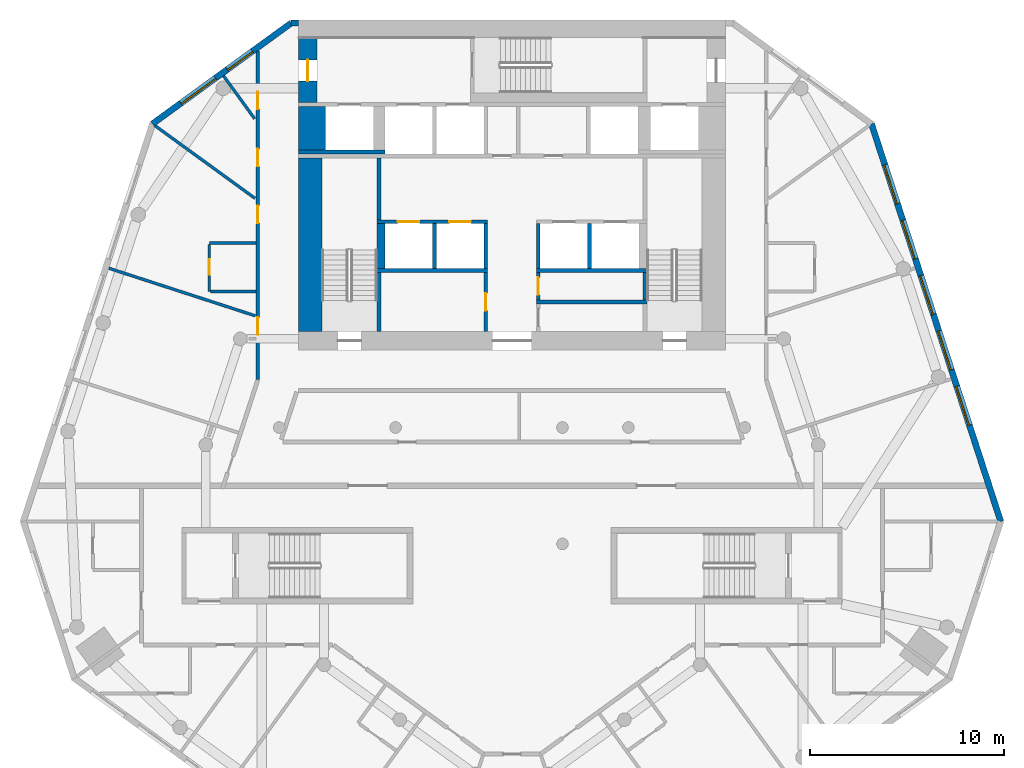
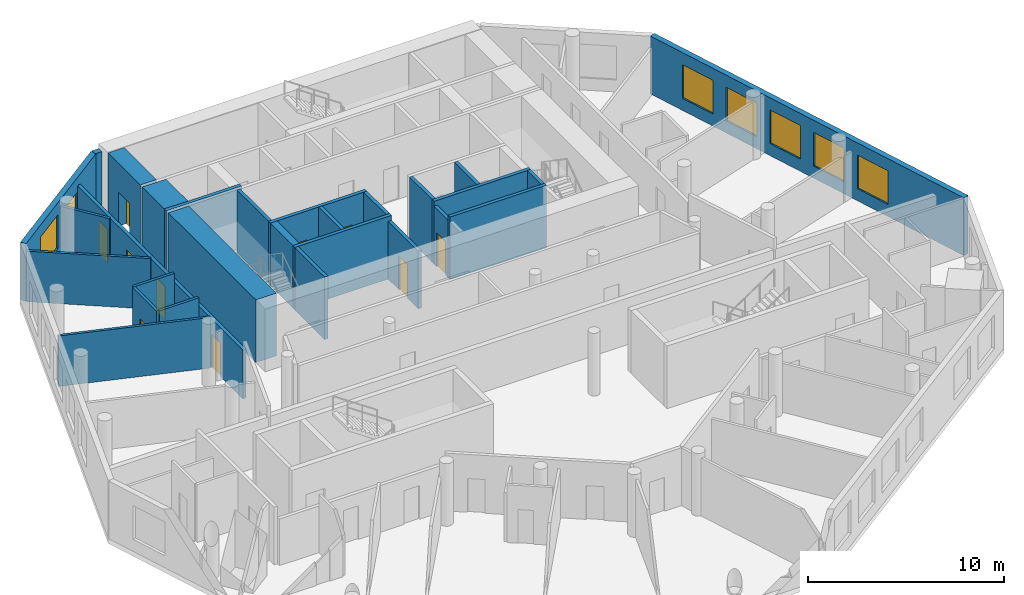
# One storey, part 5 of 9: 28 walls, 10 doors, 7 windows, 17 openings.
"""IFC4 building model written with IfcOpenShell, lengths in metres."""

from ifc_helpers import new_model, si_unit, direction, frame, frame_2d, origin, place, context, subcontext, project, spatial, rectangle, extrude, material, layer, layer_set, type_object, element, fill, save


model = new_model("IFC4")

# Units and contexts
model_context = context("Model", 3, precision=1e-05, world=origin(), true_north=direction((0.0, 1.0)))
body_context = subcontext(model_context, "Body", "Model", "MODEL_VIEW")
ifc_project = project(units=[si_unit("LENGTHUNIT", "METRE"), si_unit("AREAUNIT", "SQUARE_METRE"), si_unit("VOLUMEUNIT", "CUBIC_METRE"), si_unit("PLANEANGLEUNIT", "RADIAN"), si_unit("MASSUNIT", "GRAM", prefix="KILO")], contexts=[model_context])

# Site, building, storey
site_placement = place(None, origin())
site = spatial("IfcSite", under=ifc_project, at=site_placement, CompositionType="ELEMENT")
building_placement = place(site_placement, origin())
building = spatial("IfcBuilding", under=site, at=building_placement, Name="White Candle Pilgrim Tower", CompositionType="ELEMENT")
storey_placement = place(building_placement, frame((0.0, 0.0, 168.10009765625)))
storey = spatial("IfcBuildingStorey", under=building, at=storey_placement, Name="L38", CompositionType="ELEMENT", Elevation=168.10009765625)

# Walls
ifc_material_1 = material(Name="Concrete C60/75", Category="concrete")
ifc_layer_1 = layer(ifc_material_1, 1.39990234375)
ifc_layer_set_1 = layer_set([ifc_layer_1], Name="Core wall 1400 mm Concrete C60/75")
wall_type_1 = type_object("IfcWallType", Name="Core wall 1400 mm Concrete C60/75", PredefinedType="SHEAR", material=ifc_layer_set_1)
wall_1_placement = place(storey_placement, frame((59.699951171875, 81.300048828125, 0.0), z_axis=(0.0, 0.0, 1.0), x_axis=(0.0, 1.0, 0.0)))
element("IfcWall", 1, at=wall_1_placement, inside=storey, type_object=wall_type_1, Name="WL-L38-C40", PredefinedType="SHEAR", context=body_context, shape_type="SweptSolid", body=[
    extrude(rectangle(XDim=2.25, YDim=1.39990234375, at=frame_2d((1.125, 0.0))), origin(), (0.0, 0.0, 1.0), 3.89990234375),
])
ifc_layer_2 = layer(ifc_material_1, 0.199951171875)
ifc_layer_set_2 = layer_set([ifc_layer_2], Name="Core wall 200 mm Concrete C60/75")
wall_type_2 = type_object("IfcWallType", Name="Core wall 200 mm Concrete C60/75", PredefinedType="SHEAR", material=ifc_layer_set_2)
wall_2_placement = place(storey_placement, frame((59.0, 81.199951171875, 0.0), z_axis=(0.0, 0.0, 1.0), x_axis=(1.0, 0.0, 0.0)))
element("IfcWall", 2, at=wall_2_placement, inside=storey, type_object=wall_type_2, Name="WL-L38-C34", PredefinedType="SHEAR", context=body_context, shape_type="SweptSolid", body=[
    extrude(rectangle(XDim=4.449951171875, YDim=0.199951171875, at=frame_2d((2.22509765625, 0.0))), origin(), (0.0, 0.0, 1.0), 3.89990234375),
])

# Wall, opening, door
ifc_layer_3 = layer(ifc_material_1, 0.949951171875)
ifc_layer_set_3 = layer_set([ifc_layer_3], Name="Core wall 950 mm Concrete C60/75")
wall_type_3 = type_object("IfcWallType", Name="Core wall 950 mm Concrete C60/75", PredefinedType="SHEAR", material=ifc_layer_set_3)
wall_3_placement = place(storey_placement, frame((59.47509765625, 83.75, 0.0), z_axis=(0.0, 0.0, 1.0), x_axis=(0.0, 1.0, 0.0)))
wall_3 = element("IfcWall", 3, at=wall_3_placement, inside=storey, type_object=wall_type_3, Name="WL-L38-C45", PredefinedType="SHEAR", context=body_context, shape_type="SweptSolid", body=[
    extrude(rectangle(XDim=3.300048828125, YDim=0.949951171875, at=frame_2d((1.64990234375, 0.0))), origin(), (0.0, 0.0, 1.0), 3.89990234375),
])
opening_1_placement = place(wall_3_placement, frame((1.10009765625, 0.0, 0.0)))
opening_1 = element("IfcOpeningElement", 4, at=opening_1_placement, cuts=wall_3, Name="Opening T11-008", PredefinedType="OPENING", context=body_context, shape_type="SweptSolid", body=[
    extrude(rectangle(XDim=1.10009765625, YDim=2.10009765625, at=frame_2d((0.550048828125, 1.050048828125))), frame((0.0, 0.48486328125, 0.0), z_axis=(0.0, -1.0, 0.0), x_axis=(1.0, 0.0, 0.0)), (0.0, 0.0, 1.0), 0.969970703125),
])
ifc_material_2 = material(Name="Steel door leaf", Category="steel")
door_type_1 = type_object("IfcDoorType", Name="Fire door 1100 x 2100 EI 60", OperationType="NOTDEFINED", PredefinedType="DOOR", material=ifc_material_2)
door_1_placement = place(opening_1_placement, origin())
door_1 = element("IfcDoor", 5, at=door_1_placement, inside=storey, type_object=door_type_1, Name="Door T11-008", OperationType="SINGLE_SWING_RIGHT", OverallHeight=2.10009765625, OverallWidth=1.10009765625, PredefinedType="DOOR", context=body_context, shape_type="SweptSolid", body=[
    extrude(rectangle(XDim=1.10009765625, YDim=2.10009765625, at=frame_2d((0.550048828125, 1.050048828125))), frame((0.0, 0.02490234375, 0.0), z_axis=(0.0, -1.0, 0.0), x_axis=(1.0, 0.0, 0.0)), (0.0, 0.0, 1.0), 0.050048828125),
])
fill(opening_1, door_1)

# Wall, openings, doors
ifc_material_3 = material(Name="Gypsum board on steel studs", Category="steel")
ifc_layer_4 = layer(ifc_material_3, 0.199951171875)
ifc_layer_set_4 = layer_set([ifc_layer_4], Name="Corridor wall 200 mm EI 45")
wall_type_4 = type_object("IfcWallType", Name="Corridor wall 200 mm EI 45", PredefinedType="PARTITIONING", material=ifc_layer_set_4)
wall_4_placement = place(storey_placement, frame((56.89990234375, 69.472900390625, 0.0), z_axis=(0.0, 0.0, 1.0), x_axis=(0.0, 1.0, 0.0)))
wall_4 = element("IfcWall", 6, at=wall_4_placement, inside=storey, type_object=wall_type_4, Name="WL-L38-P003", PredefinedType="PARTITIONING", context=body_context, shape_type="SweptSolid", body=[
    extrude(rectangle(XDim=16.92333984375, YDim=0.199951171875, at=frame_2d((8.461669921875, 0.0))), origin(), (0.0, 0.0, 1.0), 3.0498046875),
])
opening_2_placement = place(wall_4_placement, frame((2.29638671875, 0.0, 0.0)))
opening_2 = element("IfcOpeningElement", 7, at=opening_2_placement, cuts=wall_4, Name="Opening T11-125", PredefinedType="OPENING", context=body_context, shape_type="SweptSolid", body=[
    extrude(rectangle(XDim=0.89990234375, YDim=2.10009765625, at=frame_2d((0.449951171875, 1.050048828125))), frame((0.0, 0.10986328125, 0.0), z_axis=(0.0, -1.0, 0.0), x_axis=(1.0, 0.0, 0.0)), (0.0, 0.0, 1.0), 0.219970703125),
])
opening_3_placement = place(wall_4_placement, frame((8.06298828125, 0.0, 0.0)))
opening_3 = element("IfcOpeningElement", 8, at=opening_3_placement, cuts=wall_4, Name="Opening T11-126", PredefinedType="OPENING", context=body_context, shape_type="SweptSolid", body=[
    extrude(rectangle(XDim=0.89990234375, YDim=2.10009765625, at=frame_2d((0.449951171875, 1.050048828125))), frame((0.0, 0.10986328125, 0.0), z_axis=(0.0, -1.0, 0.0), x_axis=(1.0, 0.0, 0.0)), (0.0, 0.0, 1.0), 0.219970703125),
])
opening_4_placement = place(wall_4_placement, frame((10.989501953125, 0.0, 0.0)))
opening_4 = element("IfcOpeningElement", 9, at=opening_4_placement, cuts=wall_4, Name="Opening T11-127", PredefinedType="OPENING", context=body_context, shape_type="SweptSolid", body=[
    extrude(rectangle(XDim=0.89990234375, YDim=2.10009765625, at=frame_2d((0.449951171875, 1.050048828125))), frame((0.0, 0.10986328125, 0.0), z_axis=(0.0, -1.0, 0.0), x_axis=(1.0, 0.0, 0.0)), (0.0, 0.0, 1.0), 0.219970703125),
])
opening_5_placement = place(wall_4_placement, frame((13.934814453125, 0.0, 0.0)))
opening_5 = element("IfcOpeningElement", 10, at=opening_5_placement, cuts=wall_4, Name="Opening T11-128", PredefinedType="OPENING", context=body_context, shape_type="SweptSolid", body=[
    extrude(rectangle(XDim=0.89990234375, YDim=2.10009765625, at=frame_2d((0.449951171875, 1.050048828125))), frame((0.0, 0.10986328125, 0.0), z_axis=(0.0, -1.0, 0.0), x_axis=(1.0, 0.0, 0.0)), (0.0, 0.0, 1.0), 0.219970703125),
])
door_type_2 = type_object("IfcDoorType", Name="Fire door 900 x 2100 EI 30", OperationType="NOTDEFINED", PredefinedType="DOOR", material=ifc_material_2)
door_2_placement = place(opening_2_placement, origin())
door_2 = element("IfcDoor", 11, at=door_2_placement, inside=storey, type_object=door_type_2, Name="Door T11-125", OperationType="SINGLE_SWING_RIGHT", OverallHeight=2.10009765625, OverallWidth=0.89990234375, PredefinedType="DOOR", context=body_context, shape_type="SweptSolid", body=[
    extrude(rectangle(XDim=0.89990234375, YDim=2.10009765625, at=frame_2d((0.449951171875, 1.050048828125))), frame((0.0, 0.02490234375, 0.0), z_axis=(0.0, -1.0, 0.0), x_axis=(1.0, 0.0, 0.0)), (0.0, 0.0, 1.0), 0.050048828125),
])
fill(opening_2, door_2)
door_3_placement = place(opening_3_placement, origin())
door_3 = element("IfcDoor", 12, at=door_3_placement, inside=storey, type_object=door_type_2, Name="Door T11-126", OperationType="SINGLE_SWING_RIGHT", OverallHeight=2.10009765625, OverallWidth=0.89990234375, PredefinedType="DOOR", context=body_context, shape_type="SweptSolid", body=[
    extrude(rectangle(XDim=0.89990234375, YDim=2.10009765625, at=frame_2d((0.449951171875, 1.050048828125))), frame((0.0, 0.02490234375, 0.0), z_axis=(0.0, -1.0, 0.0), x_axis=(1.0, 0.0, 0.0)), (0.0, 0.0, 1.0), 0.050048828125),
])
fill(opening_3, door_3)
door_4_placement = place(opening_4_placement, origin())
door_4 = element("IfcDoor", 13, at=door_4_placement, inside=storey, type_object=door_type_2, Name="Door T11-127", OperationType="SINGLE_SWING_LEFT", OverallHeight=2.10009765625, OverallWidth=0.89990234375, PredefinedType="DOOR", context=body_context, shape_type="SweptSolid", body=[
    extrude(rectangle(XDim=0.89990234375, YDim=2.10009765625, at=frame_2d((0.449951171875, 1.050048828125))), frame((0.0, 0.02490234375, 0.0), z_axis=(0.0, -1.0, 0.0), x_axis=(1.0, 0.0, 0.0)), (0.0, 0.0, 1.0), 0.050048828125),
])
fill(opening_4, door_4)
door_5_placement = place(opening_5_placement, origin())
door_5 = element("IfcDoor", 14, at=door_5_placement, inside=storey, type_object=door_type_2, Name="Door T11-128", OperationType="SINGLE_SWING_RIGHT", OverallHeight=2.10009765625, OverallWidth=0.89990234375, PredefinedType="DOOR", context=body_context, shape_type="SweptSolid", body=[
    extrude(rectangle(XDim=0.89990234375, YDim=2.10009765625, at=frame_2d((0.449951171875, 1.050048828125))), frame((0.0, 0.02490234375, 0.0), z_axis=(0.0, -1.0, 0.0), x_axis=(1.0, 0.0, 0.0)), (0.0, 0.0, 1.0), 0.050048828125),
])
fill(opening_5, door_5)

# Wall, openings, windows
ifc_material_4 = material(Name="Precast concrete C40/50", Category="concrete")
ifc_layer_5 = layer(ifc_material_4, 0.320068359375)
ifc_layer_set_5 = layer_set([ifc_layer_5], Name="Facade wall EW1 precast concrete C40/50 pier wall with timber-lined reveals")
wall_type_5 = type_object("IfcWallType", Name="Facade wall EW1 precast concrete C40/50 pier wall with timber-lined reveals", PredefinedType="SOLIDWALL", material=ifc_layer_set_5)
wall_5_placement = place(storey_placement, frame((95.18701171875, 62.158447265625, 0.0), z_axis=(0.0, 0.0, 1.0), x_axis=(-0.309015355068, 0.951057048937, 0.0)))
wall_5 = element("IfcWall", 15, at=wall_5_placement, inside=storey, type_object=wall_type_5, Name="Facade wall L38 ENE", PredefinedType="SOLIDWALL", context=body_context, shape_type="SweptSolid", body=[
    extrude(rectangle(XDim=21.545654296875, YDim=0.320068359375, at=frame_2d((10.77294921875, 0.0))), origin(), (0.0, 0.0, 1.0), 3.599853515625),
])
opening_6_placement = place(wall_5_placement, frame((5.222900390625, 0.0, 0.75)))
opening_6 = element("IfcOpeningElement", 16, at=opening_6_placement, cuts=wall_5, Name="Opening W3", PredefinedType="OPENING", context=body_context, shape_type="SweptSolid", body=[
    extrude(rectangle(XDim=2.10009765625, YDim=2.10009765625, at=frame_2d((1.050048828125, 1.050048828125))), frame((0.0, 0.169921875, 0.0), z_axis=(0.0, -1.0, 0.0), x_axis=(1.0, 0.0, 0.0)), (0.0, 0.0, 1.0), 0.340087890625),
])
opening_7_placement = place(wall_5_placement, frame((8.222900390625, 0.0, 0.75)))
opening_7 = element("IfcOpeningElement", 17, at=opening_7_placement, cuts=wall_5, Name="Opening W3", PredefinedType="OPENING", context=body_context, shape_type="SweptSolid", body=[
    extrude(rectangle(XDim=2.10009765625, YDim=2.10009765625, at=frame_2d((1.050048828125, 1.050048828125))), frame((0.0, 0.169921875, 0.0), z_axis=(0.0, -1.0, 0.0), x_axis=(1.0, 0.0, 0.0)), (0.0, 0.0, 1.0), 0.340087890625),
])
opening_8_placement = place(wall_5_placement, frame((11.222900390625, 0.0, 0.75)))
opening_8 = element("IfcOpeningElement", 18, at=opening_8_placement, cuts=wall_5, Name="Opening W3", PredefinedType="OPENING", context=body_context, shape_type="SweptSolid", body=[
    extrude(rectangle(XDim=2.10009765625, YDim=2.10009765625, at=frame_2d((1.050048828125, 1.050048828125))), frame((0.0, 0.169921875, 0.0), z_axis=(0.0, -1.0, 0.0), x_axis=(1.0, 0.0, 0.0)), (0.0, 0.0, 1.0), 0.340087890625),
])
opening_9_placement = place(wall_5_placement, frame((14.222900390625, 0.0, 0.75)))
opening_9 = element("IfcOpeningElement", 19, at=opening_9_placement, cuts=wall_5, Name="Opening W3", PredefinedType="OPENING", context=body_context, shape_type="SweptSolid", body=[
    extrude(rectangle(XDim=2.10009765625, YDim=2.10009765625, at=frame_2d((1.050048828125, 1.050048828125))), frame((0.0, 0.169921875, 0.0), z_axis=(0.0, -1.0, 0.0), x_axis=(1.0, 0.0, 0.0)), (0.0, 0.0, 1.0), 0.340087890625),
])
opening_10_placement = place(wall_5_placement, frame((17.222900390625, 0.0, 0.75)))
opening_10 = element("IfcOpeningElement", 20, at=opening_10_placement, cuts=wall_5, Name="Opening W3", PredefinedType="OPENING", context=body_context, shape_type="SweptSolid", body=[
    extrude(rectangle(XDim=2.10009765625, YDim=2.10009765625, at=frame_2d((1.050048828125, 1.050048828125))), frame((0.0, 0.169921875, 0.0), z_axis=(0.0, -1.0, 0.0), x_axis=(1.0, 0.0, 0.0)), (0.0, 0.0, 1.0), 0.340087890625),
])
ifc_material_5 = material(Name="Timber frame with triple glazing", Category="wood")
window_type_1 = type_object("IfcWindowType", Name="Window W3 2100x2100 timber frame triple glazing", PartitioningType="SINGLE_PANEL", PredefinedType="WINDOW", material=ifc_material_5)
window_1_placement = place(opening_6_placement, origin())
window_1 = element("IfcWindow", 21, at=window_1_placement, inside=storey, type_object=window_type_1, Name="Window W3 L38 ENE 2", OverallHeight=2.10009765625, OverallWidth=2.10009765625, PartitioningType="SINGLE_PANEL", PredefinedType="WINDOW", context=body_context, shape_type="SweptSolid", body=[
    extrude(rectangle(XDim=2.10009765625, YDim=2.10009765625, at=frame_2d((1.050048828125, 1.050048828125))), frame((0.0, 0.070068359375, 0.0), z_axis=(0.0, -1.0, 0.0), x_axis=(1.0, 0.0, 0.0)), (0.0, 0.0, 1.0), 0.06005859375),
])
fill(opening_6, window_1)
window_2_placement = place(opening_7_placement, origin())
window_2 = element("IfcWindow", 22, at=window_2_placement, inside=storey, type_object=window_type_1, Name="Window W3 L38 ENE 3", OverallHeight=2.10009765625, OverallWidth=2.10009765625, PartitioningType="SINGLE_PANEL", PredefinedType="WINDOW", context=body_context, shape_type="SweptSolid", body=[
    extrude(rectangle(XDim=2.10009765625, YDim=2.10009765625, at=frame_2d((1.050048828125, 1.050048828125))), frame((0.0, 0.070068359375, 0.0), z_axis=(0.0, -1.0, 0.0), x_axis=(1.0, 0.0, 0.0)), (0.0, 0.0, 1.0), 0.06005859375),
])
fill(opening_7, window_2)
window_3_placement = place(opening_8_placement, origin())
window_3 = element("IfcWindow", 23, at=window_3_placement, inside=storey, type_object=window_type_1, Name="Window W3 L38 ENE 4", OverallHeight=2.10009765625, OverallWidth=2.10009765625, PartitioningType="SINGLE_PANEL", PredefinedType="WINDOW", context=body_context, shape_type="SweptSolid", body=[
    extrude(rectangle(XDim=2.10009765625, YDim=2.10009765625, at=frame_2d((1.050048828125, 1.050048828125))), frame((0.0, 0.070068359375, 0.0), z_axis=(0.0, -1.0, 0.0), x_axis=(1.0, 0.0, 0.0)), (0.0, 0.0, 1.0), 0.06005859375),
])
fill(opening_8, window_3)
window_4_placement = place(opening_9_placement, origin())
window_4 = element("IfcWindow", 24, at=window_4_placement, inside=storey, type_object=window_type_1, Name="Window W3 L38 ENE 5", OverallHeight=2.10009765625, OverallWidth=2.10009765625, PartitioningType="SINGLE_PANEL", PredefinedType="WINDOW", context=body_context, shape_type="SweptSolid", body=[
    extrude(rectangle(XDim=2.10009765625, YDim=2.10009765625, at=frame_2d((1.050048828125, 1.050048828125))), frame((0.0, 0.070068359375, 0.0), z_axis=(0.0, -1.0, 0.0), x_axis=(1.0, 0.0, 0.0)), (0.0, 0.0, 1.0), 0.06005859375),
])
fill(opening_9, window_4)
window_5_placement = place(opening_10_placement, origin())
window_5 = element("IfcWindow", 25, at=window_5_placement, inside=storey, type_object=window_type_1, Name="Window W3 L38 ENE 6", OverallHeight=2.10009765625, OverallWidth=2.10009765625, PartitioningType="SINGLE_PANEL", PredefinedType="WINDOW", context=body_context, shape_type="SweptSolid", body=[
    extrude(rectangle(XDim=2.10009765625, YDim=2.10009765625, at=frame_2d((1.050048828125, 1.050048828125))), frame((0.0, 0.070068359375, 0.0), z_axis=(0.0, -1.0, 0.0), x_axis=(1.0, 0.0, 0.0)), (0.0, 0.0, 1.0), 0.06005859375),
])
fill(opening_10, window_5)

# Wall
wall_6_placement = place(storey_placement, frame((59.0, 87.840087890625, 0.0), z_axis=(0.0, 0.0, 1.0), x_axis=(-1.0, 0.0, 0.0)))
element("IfcWall", 26, at=wall_6_placement, inside=storey, type_object=wall_type_5, Name="Facade wall L38 N", PredefinedType="SOLIDWALL", context=body_context, shape_type="SweptSolid", body=[
    extrude(rectangle(XDim=0.385009765625, YDim=0.320068359375, at=frame_2d((0.1923828125, 0.0))), origin(), (0.0, 0.0, 1.0), 3.599853515625),
])

# Wall, openings, windows
wall_7_placement = place(storey_placement, frame((58.614990234375, 87.840087890625, 0.0), z_axis=(0.0, 0.0, 1.0), x_axis=(-0.809018144148, -0.587783669762, 0.0)))
wall_7 = element("IfcWall", 27, at=wall_7_placement, inside=storey, type_object=wall_type_5, Name="Facade wall L38 NW chamfer", PredefinedType="SOLIDWALL", context=body_context, shape_type="SweptSolid", body=[
    extrude(rectangle(XDim=8.83056640625, YDim=0.320068359375, at=frame_2d((4.415283203125, 0.0))), origin(), (0.0, 0.0, 1.0), 3.599853515625),
])
opening_11_placement = place(wall_7_placement, frame((2.459716796875, 0.0, 0.89990234375)))
opening_11 = element("IfcOpeningElement", 28, at=opening_11_placement, cuts=wall_7, Name="Opening W2", PredefinedType="OPENING", context=body_context, shape_type="SweptSolid", body=[
    extrude(rectangle(XDim=1.60009765625, YDim=1.800048828125, at=frame_2d((0.800048828125, 0.89990234375))), frame((0.0, 0.169921875, 0.0), z_axis=(0.0, -1.0, 0.0), x_axis=(1.0, 0.0, 0.0)), (0.0, 0.0, 1.0), 0.340087890625),
])
opening_12_placement = place(wall_7_placement, frame((4.815185546875, 0.0, 0.75)))
opening_12 = element("IfcOpeningElement", 29, at=opening_12_placement, cuts=wall_7, Name="Opening W4", PredefinedType="OPENING", context=body_context, shape_type="SweptSolid", body=[
    extrude(rectangle(XDim=2.199951171875, YDim=2.10009765625, at=frame_2d((1.10009765625, 1.050048828125))), frame((0.0, 0.169921875, 0.0), z_axis=(0.0, -1.0, 0.0), x_axis=(1.0, 0.0, 0.0)), (0.0, 0.0, 1.0), 0.340087890625),
])
window_type_2 = type_object("IfcWindowType", Name="Window W2 1600x1800 timber frame triple glazing", PartitioningType="SINGLE_PANEL", PredefinedType="WINDOW", material=ifc_material_5)
window_6_placement = place(opening_11_placement, origin())
window_6 = element("IfcWindow", 30, at=window_6_placement, inside=storey, type_object=window_type_2, Name="Window W2 L38 NW chamfer 1", OverallHeight=1.800048828125, OverallWidth=1.60009765625, PartitioningType="SINGLE_PANEL", PredefinedType="WINDOW", context=body_context, shape_type="SweptSolid", body=[
    extrude(rectangle(XDim=1.60009765625, YDim=1.800048828125, at=frame_2d((0.800048828125, 0.89990234375))), frame((0.0, 0.070068359375, 0.0), z_axis=(0.0, -1.0, 0.0), x_axis=(1.0, 0.0, 0.0)), (0.0, 0.0, 1.0), 0.06005859375),
])
fill(opening_11, window_6)
window_type_3 = type_object("IfcWindowType", Name="Window W4 2200x2100 timber frame triple glazing", PartitioningType="SINGLE_PANEL", PredefinedType="WINDOW", material=ifc_material_5)
window_7_placement = place(opening_12_placement, origin())
window_7 = element("IfcWindow", 31, at=window_7_placement, inside=storey, type_object=window_type_3, Name="Window W4 L38 NW chamfer 2", OverallHeight=2.10009765625, OverallWidth=2.199951171875, PartitioningType="SINGLE_PANEL", PredefinedType="WINDOW", context=body_context, shape_type="SweptSolid", body=[
    extrude(rectangle(XDim=2.199951171875, YDim=2.10009765625, at=frame_2d((1.10009765625, 1.050048828125))), frame((0.0, 0.070068359375, 0.0), z_axis=(0.0, -1.0, 0.0), x_axis=(1.0, 0.0, 0.0)), (0.0, 0.0, 1.0), 0.06005859375),
])
fill(opening_12, window_7)

# Wall, opening, door
ifc_layer_6 = layer(ifc_material_3, 0.199951171875)
ifc_layer_set_6 = layer_set([ifc_layer_6], Name="Lobby wall 200 mm EI 60")
wall_type_6 = type_object("IfcWallType", Name="Lobby wall 200 mm EI 60", PredefinedType="PARTITIONING", material=ifc_layer_set_6)
wall_8_placement = place(storey_placement, frame((68.64990234375, 71.949951171875, 0.0), z_axis=(0.0, 0.0, 1.0), x_axis=(0.0, 1.0, 0.0)))
wall_8 = element("IfcWall", 32, at=wall_8_placement, inside=storey, type_object=wall_type_6, Name="WL-L38-C14", PredefinedType="PARTITIONING", context=body_context, shape_type="SweptSolid", body=[
    extrude(rectangle(XDim=3.050048828125, YDim=0.199951171875, at=frame_2d((1.52490234375, 0.0))), origin(), (0.0, 0.0, 1.0), 3.599853515625),
])
opening_13_placement = place(wall_8_placement, frame((1.074951171875, 0.0, 0.0)))
opening_13 = element("IfcOpeningElement", 33, at=opening_13_placement, cuts=wall_8, Name="Opening T11-005", PredefinedType="OPENING", context=body_context, shape_type="SweptSolid", body=[
    extrude(rectangle(XDim=0.89990234375, YDim=2.10009765625, at=frame_2d((0.449951171875, 1.050048828125))), frame((0.0, 0.10986328125, 0.0), z_axis=(0.0, -1.0, 0.0), x_axis=(1.0, 0.0, 0.0)), (0.0, 0.0, 1.0), 0.219970703125),
])
door_6_placement = place(opening_13_placement, origin())
door_6 = element("IfcDoor", 34, at=door_6_placement, inside=storey, type_object=door_type_2, Name="Door T11-005", OperationType="SINGLE_SWING_LEFT", OverallHeight=2.10009765625, OverallWidth=0.89990234375, PredefinedType="DOOR", context=body_context, shape_type="SweptSolid", body=[
    extrude(rectangle(XDim=0.89990234375, YDim=2.10009765625, at=frame_2d((0.449951171875, 1.050048828125))), frame((0.0, 0.02490234375, 0.0), z_axis=(0.0, -1.0, 0.0), x_axis=(1.0, 0.0, 0.0)), (0.0, 0.0, 1.0), 0.050048828125),
])
fill(opening_13, door_6)

wall_9_placement = place(storey_placement, frame((71.35009765625, 73.574951171875, 0.0), z_axis=(0.0, 0.0, 1.0), x_axis=(0.0, 1.0, 0.0)))
wall_9 = element("IfcWall", 35, at=wall_9_placement, inside=storey, type_object=wall_type_6, Name="WL-L38-C19", PredefinedType="PARTITIONING", context=body_context, shape_type="SweptSolid", body=[
    extrude(rectangle(XDim=1.425048828125, YDim=0.199951171875, at=frame_2d((0.71240234375, 0.0))), origin(), (0.0, 0.0, 1.0), 3.599853515625),
])
opening_14_placement = place(wall_9_placement, frame((0.262451171875, 0.0, 0.0)))
opening_14 = element("IfcOpeningElement", 36, at=opening_14_placement, cuts=wall_9, Name="Opening T11-007", PredefinedType="OPENING", context=body_context, shape_type="SweptSolid", body=[
    extrude(rectangle(XDim=0.89990234375, YDim=2.10009765625, at=frame_2d((0.449951171875, 1.050048828125))), frame((0.0, 0.10986328125, 0.0), z_axis=(0.0, -1.0, 0.0), x_axis=(1.0, 0.0, 0.0)), (0.0, 0.0, 1.0), 0.219970703125),
])
door_7_placement = place(opening_14_placement, origin())
door_7 = element("IfcDoor", 37, at=door_7_placement, inside=storey, type_object=door_type_2, Name="Door T11-007", OperationType="SINGLE_SWING_LEFT", OverallHeight=2.10009765625, OverallWidth=0.89990234375, PredefinedType="DOOR", context=body_context, shape_type="SweptSolid", body=[
    extrude(rectangle(XDim=0.89990234375, YDim=2.10009765625, at=frame_2d((0.449951171875, 1.050048828125))), frame((0.0, 0.02490234375, 0.0), z_axis=(0.0, -1.0, 0.0), x_axis=(1.0, 0.0, 0.0)), (0.0, 0.0, 1.0), 0.050048828125),
])
fill(opening_14, door_7)

# Walls
ifc_layer_7 = layer(ifc_material_3, 0.14990234375)
ifc_layer_set_7 = layer_set([ifc_layer_7], Name="Partition 150 mm EI 60")
wall_type_7 = type_object("IfcWallType", Name="Partition 150 mm EI 60", PredefinedType="PARTITIONING", material=ifc_layer_set_7)
wall_10_placement = place(storey_placement, frame((51.607177734375, 82.55078125, 0.0), z_axis=(0.0, 0.0, 1.0), x_axis=(0.809018004504, -0.587783861966, 0.0)))
element("IfcWall", 38, at=wall_10_placement, inside=storey, type_object=wall_type_7, Name="WL-L38-P017", PredefinedType="PARTITIONING", context=body_context, shape_type="SweptSolid", body=[
    extrude(rectangle(XDim=6.364013671875, YDim=0.14990234375, at=frame_2d((3.18212890625, 0.0))), origin(), (0.0, 0.0, 1.0), 3.14990234375),
])
wall_11_placement = place(storey_placement, frame((55.13720703125, 85.115478515625, 0.0), z_axis=(0.0, 0.0, 1.0), x_axis=(0.587734915063, -0.809053564121, 0.0)))
element("IfcWall", 39, at=wall_11_placement, inside=storey, type_object=wall_type_7, Name="WL-L38-P025", PredefinedType="PARTITIONING", context=body_context, shape_type="SweptSolid", body=[
    extrude(rectangle(XDim=2.725830078125, YDim=0.14990234375, at=frame_2d((1.36279296875, 0.0))), origin(), (0.0, 0.0, 1.0), 3.14990234375),
])
wall_12_placement = place(storey_placement, frame((49.22119140625, 75.207763671875, 0.0), z_axis=(0.0, 0.0, 1.0), x_axis=(0.951053036923, -0.309027702575, 0.0)))
element("IfcWall", 40, at=wall_12_placement, inside=storey, type_object=wall_type_7, Name="WL-L38-P026", PredefinedType="PARTITIONING", context=body_context, shape_type="SweptSolid", body=[
    extrude(rectangle(XDim=7.944580078125, YDim=0.14990234375, at=frame_2d((3.97216796875, 0.0))), origin(), (0.0, 0.0, 1.0), 3.14990234375),
])
wall_13_placement = place(storey_placement, frame((56.800048828125, 76.5126953125, 0.0), z_axis=(0.0, 0.0, 1.0), x_axis=(-1.0, 0.0, 0.0)))
element("IfcWall", 41, at=wall_13_placement, inside=storey, type_object=wall_type_7, Name="WL-L38-P028", PredefinedType="PARTITIONING", context=body_context, shape_type="SweptSolid", body=[
    extrude(rectangle(XDim=2.400146484375, YDim=0.14990234375, at=frame_2d((1.2001953125, 0.0))), origin(), (0.0, 0.0, 1.0), 3.599853515625),
])

# Wall, opening, door
wall_14_placement = place(storey_placement, frame((54.39990234375, 74.0126953125, 0.0), z_axis=(0.0, 0.0, 1.0), x_axis=(0.0, 1.0, 0.0)))
wall_14 = element("IfcWall", 42, at=wall_14_placement, inside=storey, type_object=wall_type_7, Name="WL-L38-P029", PredefinedType="PARTITIONING", context=body_context, shape_type="SweptSolid", body=[
    extrude(rectangle(XDim=2.425048828125, YDim=0.14990234375, at=frame_2d((1.21240234375, 0.0))), origin(), (0.0, 0.0, 1.0), 3.599853515625),
])
opening_15_placement = place(wall_14_placement, frame((0.85009765625, 0.0, 0.0)))
opening_15 = element("IfcOpeningElement", 43, at=opening_15_placement, cuts=wall_14, Name="Opening T11-101", PredefinedType="OPENING", context=body_context, shape_type="SweptSolid", body=[
    extrude(rectangle(XDim=0.800048828125, YDim=2.10009765625, at=frame_2d((0.39990234375, 1.050048828125))), frame((0.0, 0.0849609375, 0.0), z_axis=(0.0, -1.0, 0.0), x_axis=(1.0, 0.0, 0.0)), (0.0, 0.0, 1.0), 0.169921875),
])
door_type_3 = type_object("IfcDoorType", Name="Fire door 800 x 2100 EI 30", OperationType="NOTDEFINED", PredefinedType="DOOR", material=ifc_material_2)
door_8_placement = place(opening_15_placement, origin())
door_8 = element("IfcDoor", 44, at=door_8_placement, inside=storey, type_object=door_type_3, Name="Door T11-101", OperationType="SINGLE_SWING_LEFT", OverallHeight=2.10009765625, OverallWidth=0.800048828125, PredefinedType="DOOR", context=body_context, shape_type="SweptSolid", body=[
    extrude(rectangle(XDim=0.800048828125, YDim=2.10009765625, at=frame_2d((0.39990234375, 1.050048828125))), frame((0.0, 0.02490234375, 0.0), z_axis=(0.0, -1.0, 0.0), x_axis=(1.0, 0.0, 0.0)), (0.0, 0.0, 1.0), 0.050048828125),
])
fill(opening_15, door_8)

# Walls
wall_15_placement = place(storey_placement, frame((56.800048828125, 74.0126953125, 0.0), z_axis=(0.0, 0.0, 1.0), x_axis=(-1.0, 0.0, 0.0)))
element("IfcWall", 45, at=wall_15_placement, inside=storey, type_object=wall_type_7, Name="WL-L38-P030", PredefinedType="PARTITIONING", context=body_context, shape_type="SweptSolid", body=[
    extrude(rectangle(XDim=2.324951171875, YDim=0.14990234375, at=frame_2d((1.16259765625, 0.0))), origin(), (0.0, 0.0, 1.0), 3.599853515625),
])
ifc_layer_8 = layer(ifc_material_1, 0.199951171875)
ifc_layer_set_8 = layer_set([ifc_layer_8], Name="Shaft wall 200 mm Concrete C60/75")
wall_type_8 = type_object("IfcWallType", Name="Shaft wall 200 mm Concrete C60/75", PredefinedType="SHEAR", material=ifc_layer_set_8)
for number, where, z_axis, x_axis, name in (
    (46, (66.0, 75.199951171875, 0.0), (0.0, 0.0, 1.0), (0.0, 1.0, 0.0), "WL-L38-C24"),
    (47, (68.64990234375, 75.199951171875, 0.0), (0.0, 0.0, 1.0), (0.0, 1.0, 0.0), "WL-L38-C25"),
    (48, (71.35009765625, 75.199951171875, 0.0), (0.0, 0.0, 1.0), (0.0, 1.0, 0.0), "WL-L38-C26"),
    (49, (74.0, 75.199951171875, 0.0), (0.0, 0.0, 1.0), (0.0, 1.0, 0.0), "WL-L38-C27"),
):
    element("IfcWall", number, at=place(storey_placement, frame(where, z_axis=z_axis, x_axis=x_axis)), inside=storey, type_object=wall_type_8, Name=name, PredefinedType="SHEAR", context=body_context, shape_type="SweptSolid", body=[
        extrude(rectangle(XDim=2.300048828125, YDim=0.199951171875, at=frame_2d((1.14990234375, 0.0))), origin(), (0.0, 0.0, 1.0), 3.89990234375),
    ])
ifc_layer_9 = layer(ifc_material_1, 1.199951171875)
ifc_layer_set_9 = layer_set([ifc_layer_9], Name="Stair shaft wall 1200 mm Concrete C60/75")
wall_type_9 = type_object("IfcWallType", Name="Stair shaft wall 1200 mm Concrete C60/75", PredefinedType="SHEAR", material=ifc_layer_set_9)
wall_16_placement = place(storey_placement, frame((59.60009765625, 71.949951171875, 0.0), z_axis=(0.0, 0.0, 1.0), x_axis=(0.0, 1.0, 0.0)))
element("IfcWall", 50, at=wall_16_placement, inside=storey, type_object=wall_type_9, Name="WL-L38-C12", PredefinedType="SHEAR", context=body_context, shape_type="SweptSolid", body=[
    extrude(rectangle(XDim=8.949951171875, YDim=1.199951171875, at=frame_2d((4.47509765625, 0.0))), origin(), (0.0, 0.0, 1.0), 3.89990234375),
])
ifc_layer_10 = layer(ifc_material_1, 0.199951171875)
ifc_layer_set_10 = layer_set([ifc_layer_10], Name="Stair shaft wall 200 mm Concrete C60/75")
wall_type_10 = type_object("IfcWallType", Name="Stair shaft wall 200 mm Concrete C60/75", PredefinedType="SHEAR", material=ifc_layer_set_10)
wall_17_placement = place(storey_placement, frame((63.14990234375, 71.949951171875, 0.0), z_axis=(0.0, 0.0, 1.0), x_axis=(0.0, 1.0, 0.0)))
element("IfcWall", 51, at=wall_17_placement, inside=storey, type_object=wall_type_10, Name="WL-L38-C13", PredefinedType="SHEAR", context=body_context, shape_type="SweptSolid", body=[
    extrude(rectangle(XDim=3.050048828125, YDim=0.199951171875, at=frame_2d((1.52490234375, 0.0))), origin(), (0.0, 0.0, 1.0), 3.89990234375),
])
wall_18_placement = place(storey_placement, frame((71.25, 73.47509765625, 0.0), z_axis=(0.0, 0.0, 1.0), x_axis=(1.0, 0.0, 0.0)))
element("IfcWall", 52, at=wall_18_placement, inside=storey, type_object=wall_type_10, Name="WL-L38-C18", PredefinedType="SHEAR", context=body_context, shape_type="SweptSolid", body=[
    extrude(rectangle(XDim=5.699951171875, YDim=0.199951171875, at=frame_2d((2.85009765625, 0.0))), origin(), (0.0, 0.0, 1.0), 3.89990234375),
])
wall_19_placement = place(storey_placement, frame((76.85009765625, 73.574951171875, 0.0), z_axis=(0.0, 0.0, 1.0), x_axis=(0.0, 1.0, 0.0)))
element("IfcWall", 53, at=wall_19_placement, inside=storey, type_object=wall_type_10, Name="WL-L38-C20", PredefinedType="SHEAR", context=body_context, shape_type="SweptSolid", body=[
    extrude(rectangle(XDim=1.425048828125, YDim=0.199951171875, at=frame_2d((0.71240234375, 0.0))), origin(), (0.0, 0.0, 1.0), 3.89990234375),
])
for number, where, z_axis, x_axis, name in (
    (54, (63.050048828125, 75.10009765625, 0.0), (0.0, 0.0, 1.0), (1.0, 0.0, 0.0), "WL-L38-C21"),
    (55, (71.25, 75.10009765625, 0.0), (0.0, 0.0, 1.0), (1.0, 0.0, 0.0), "WL-L38-C22"),
):
    element("IfcWall", number, at=place(storey_placement, frame(where, z_axis=z_axis, x_axis=x_axis)), inside=storey, type_object=wall_type_10, Name=name, PredefinedType="SHEAR", context=body_context, shape_type="SweptSolid", body=[
        extrude(rectangle(XDim=5.699951171875, YDim=0.199951171875, at=frame_2d((2.85009765625, 0.0))), origin(), (0.0, 0.0, 1.0), 3.89990234375),
    ])

# Wall, openings, doors
wall_20_placement = place(storey_placement, frame((63.050048828125, 77.60009765625, 0.0), z_axis=(0.0, 0.0, 1.0), x_axis=(1.0, 0.0, 0.0)))
wall_20 = element("IfcWall", 56, at=wall_20_placement, inside=storey, type_object=wall_type_10, Name="WL-L38-C29", PredefinedType="SHEAR", context=body_context, shape_type="SweptSolid", body=[
    extrude(rectangle(XDim=5.699951171875, YDim=0.199951171875, at=frame_2d((2.85009765625, 0.0))), origin(), (0.0, 0.0, 1.0), 3.89990234375),
])
opening_16_placement = place(wall_20_placement, frame((1.074951171875, 0.0, 0.0)))
opening_16 = element("IfcOpeningElement", 57, at=opening_16_placement, cuts=wall_20, Name="Opening T11-014", PredefinedType="OPENING", context=body_context, shape_type="SweptSolid", body=[
    extrude(rectangle(XDim=1.10009765625, YDim=2.10009765625, at=frame_2d((0.550048828125, 1.050048828125))), frame((0.0, 0.10986328125, 0.0), z_axis=(0.0, -1.0, 0.0), x_axis=(1.0, 0.0, 0.0)), (0.0, 0.0, 1.0), 0.219970703125),
])
opening_17_placement = place(wall_20_placement, frame((3.72509765625, 0.0, 0.0)))
opening_17 = element("IfcOpeningElement", 58, at=opening_17_placement, cuts=wall_20, Name="Opening T11-015", PredefinedType="OPENING", context=body_context, shape_type="SweptSolid", body=[
    extrude(rectangle(XDim=1.10009765625, YDim=2.10009765625, at=frame_2d((0.550048828125, 1.050048828125))), frame((0.0, 0.10986328125, 0.0), z_axis=(0.0, -1.0, 0.0), x_axis=(1.0, 0.0, 0.0)), (0.0, 0.0, 1.0), 0.219970703125),
])
ifc_material_6 = material(Name="Stainless steel", Category="steel")
door_type_4 = type_object("IfcDoorType", Name="Lift landing door 1100 x 2100 E 60", OperationType="DOUBLE_DOOR_SLIDING", PredefinedType="DOOR", material=ifc_material_6)
door_9_placement = place(opening_16_placement, origin())
door_9 = element("IfcDoor", 59, at=door_9_placement, inside=storey, type_object=door_type_4, Name="Door T11-014", OperationType="DOUBLE_DOOR_SLIDING", OverallHeight=2.10009765625, OverallWidth=1.10009765625, PredefinedType="DOOR", context=body_context, shape_type="SweptSolid", body=[
    extrude(rectangle(XDim=1.10009765625, YDim=2.10009765625, at=frame_2d((0.550048828125, 1.050048828125))), frame((0.0, 0.02490234375, 0.0), z_axis=(0.0, -1.0, 0.0), x_axis=(1.0, 0.0, 0.0)), (0.0, 0.0, 1.0), 0.050048828125),
])
fill(opening_16, door_9)
door_10_placement = place(opening_17_placement, origin())
door_10 = element("IfcDoor", 60, at=door_10_placement, inside=storey, type_object=door_type_4, Name="Door T11-015", OperationType="DOUBLE_DOOR_SLIDING", OverallHeight=2.10009765625, OverallWidth=1.10009765625, PredefinedType="DOOR", context=body_context, shape_type="SweptSolid", body=[
    extrude(rectangle(XDim=1.10009765625, YDim=2.10009765625, at=frame_2d((0.550048828125, 1.050048828125))), frame((0.0, 0.02490234375, 0.0), z_axis=(0.0, -1.0, 0.0), x_axis=(1.0, 0.0, 0.0)), (0.0, 0.0, 1.0), 0.050048828125),
])
fill(opening_17, door_10)

# Walls
wall_21_placement = place(storey_placement, frame((63.14990234375, 77.699951171875, 0.0), z_axis=(0.0, 0.0, 1.0), x_axis=(0.0, 1.0, 0.0)))
element("IfcWall", 61, at=wall_21_placement, inside=storey, type_object=wall_type_10, Name="WL-L38-C31", PredefinedType="SHEAR", context=body_context, shape_type="SweptSolid", body=[
    extrude(rectangle(XDim=3.199951171875, YDim=0.199951171875, at=frame_2d((1.60009765625, 0.0))), origin(), (0.0, 0.0, 1.0), 3.89990234375),
])
ifc_layer_11 = layer(ifc_material_1, 0.39990234375)
ifc_layer_set_11 = layer_set([ifc_layer_11], Name="Stair shaft wall 400 mm Concrete C60/75")
wall_type_11 = type_object("IfcWallType", Name="Stair shaft wall 400 mm Concrete C60/75", PredefinedType="SHEAR", material=ifc_layer_set_11)
wall_22_placement = place(storey_placement, frame((63.25, 75.199951171875, 0.0), z_axis=(0.0, 0.0, 1.0), x_axis=(0.0, 1.0, 0.0)))
element("IfcWall", 62, at=wall_22_placement, inside=storey, type_object=wall_type_11, Name="WL-L38-C23", PredefinedType="SHEAR", context=body_context, shape_type="SweptSolid", body=[
    extrude(rectangle(XDim=2.300048828125, YDim=0.39990234375, at=frame_2d((1.14990234375, 0.0))), origin(), (0.0, 0.0, 1.0), 3.89990234375),
])

save(model, "model.ifc")
